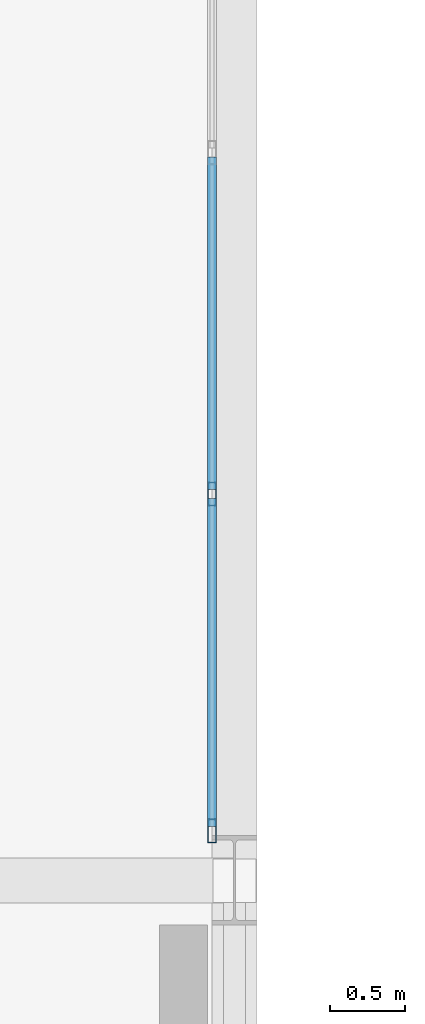
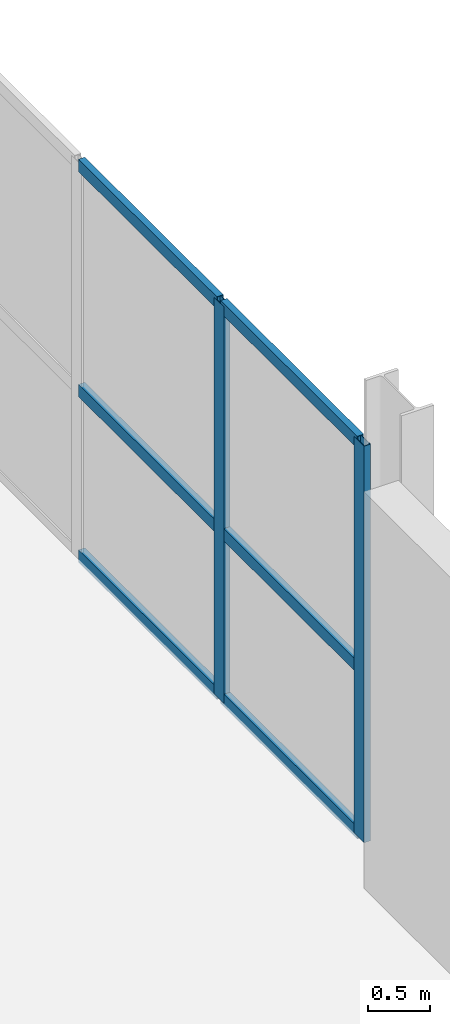
# One storey, part 61 of 130: 8 members, 1 element without a shape of its own.
"""IFC4 building model written with IfcOpenShell, lengths in metres."""

from ifc_helpers import new_model, si_unit, direction, frame, origin, origin_2d, place, context, subcontext, project, spatial, hollow_rectangle, extrude, material, material_profile, profile_set, type_object, element, aggregate, save


model = new_model("IFC4")

# Units and contexts
model_context = context("Model", 3, precision=1e-05, world=origin(), true_north=direction((0.0, 1.0)))
body_context = subcontext(model_context, "Body", "Model", "MODEL_VIEW")
ifc_project = project(units=[si_unit("LENGTHUNIT", "METRE"), si_unit("AREAUNIT", "SQUARE_METRE"), si_unit("VOLUMEUNIT", "CUBIC_METRE"), si_unit("PLANEANGLEUNIT", "RADIAN"), si_unit("MASSUNIT", "GRAM", prefix="KILO")], contexts=[model_context])

# Site, building, storey
site_placement = place(None, origin())
site = spatial("IfcSite", under=ifc_project, at=site_placement, CompositionType="ELEMENT")
building_placement = place(site_placement, origin())
building = spatial("IfcBuilding", under=site, at=building_placement, Name="Veltarok Museum of Natural Sciences", CompositionType="ELEMENT")
storey_placement = place(building_placement, frame((0.0, 0.0, 12.89990234375)))
storey = spatial("IfcBuildingStorey", under=building, at=storey_placement, Name="L02", CompositionType="ELEMENT", Elevation=12.89990234375)

# Curtain wall, members
ifc_material_1 = material(Name="Low-iron triple insulated glass", Category="glass")
curtain_wall_type = type_object("IfcCurtainWallType", Name="Curtain Wall System CW-V2E-L02-0-1140x388 (CW-V2E L02 1140x388cm)", PredefinedType="NOTDEFINED", material=ifc_material_1)
curtain_wall_placement = place(storey_placement, origin())
curtain_wall = element("IfcCurtainWall", 1, at=curtain_wall_placement, inside=storey, type_object=curtain_wall_type, Name="Curtain Wall CW-V2E-L02-0-1140x388 CW-0132", PredefinedType="NOTDEFINED")
ifc_material_2 = material(Name="Thermally broken anodised aluminium", Category="aluminium")
ifc_material_profile_1 = material_profile(ifc_material_2, hollow_rectangle(XDim=0.06005859375, YDim=0.1201171875, WallThickness=0.0048828125, at=origin_2d()), Name="CW TRANSOM 60x120x5")
ifc_profile_set_1 = profile_set([ifc_material_profile_1], Name="Thermally broken anodised aluminium")
member_type_1 = type_object("IfcMemberType", Name="Curtain Wall Horizontal Transom 60x120x5", PredefinedType="USERDEFINED", material=ifc_profile_set_1)
member_1_placement = place(storey_placement, frame((98.64990234375, 48.360107421875, 0.028076171875), z_axis=(0.0, 1.0, 0.0), x_axis=(-1.0, 0.0, 0.0)))
member_1 = element("IfcMember", 2, at=member_1_placement, type_object=member_type_1, Name="CW-V2E-L02-0-1140x388 transom 1.1", ObjectType="TRANSOM", PredefinedType="USERDEFINED", context=body_context, shape_type="SweptSolid", body=[
    extrude(hollow_rectangle(XDim=0.06005859375, YDim=0.1201171875, WallThickness=0.0048828125, at=origin_2d()), origin(), (0.0, 0.0, 1.0), 2.18994140625),
])
member_2_placement = place(storey_placement, frame((98.64990234375, 48.360107421875, 1.648193359375), z_axis=(0.0, 1.0, 0.0), x_axis=(-1.0, 0.0, 0.0)))
member_2 = element("IfcMember", 3, at=member_2_placement, type_object=member_type_1, Name="CW-V2E-L02-0-1140x388 transom 1.2", ObjectType="TRANSOM", PredefinedType="USERDEFINED", context=body_context, shape_type="SweptSolid", body=[
    extrude(hollow_rectangle(XDim=0.06005859375, YDim=0.1201171875, WallThickness=0.0048828125, at=origin_2d()), origin(), (0.0, 0.0, 1.0), 2.18994140625),
])
member_3_placement = place(storey_placement, frame((98.64990234375, 48.360107421875, 3.85009765625), z_axis=(0.0, 1.0, 0.0), x_axis=(-1.0, 0.0, 0.0)))
member_3 = element("IfcMember", 4, at=member_3_placement, type_object=member_type_1, Name="CW-V2E-L02-0-1140x388 transom 1.3", ObjectType="TRANSOM", PredefinedType="USERDEFINED", context=body_context, shape_type="SweptSolid", body=[
    extrude(hollow_rectangle(XDim=0.06005859375, YDim=0.1201171875, WallThickness=0.0048828125, at=origin_2d()), origin(), (0.0, 0.0, 1.0), 2.18994140625),
])
member_4_placement = place(storey_placement, frame((98.64990234375, 50.610107421875, 0.028076171875), z_axis=(0.0, 1.0, 0.0), x_axis=(-1.0, 0.0, 0.0)))
member_4 = element("IfcMember", 5, at=member_4_placement, type_object=member_type_1, Name="CW-V2E-L02-0-1140x388 transom 2.1", ObjectType="TRANSOM", PredefinedType="USERDEFINED", context=body_context, shape_type="SweptSolid", body=[
    extrude(hollow_rectangle(XDim=0.06005859375, YDim=0.1201171875, WallThickness=0.0048828125, at=origin_2d()), origin(), (0.0, 0.0, 1.0), 2.219970703125),
])
member_5_placement = place(storey_placement, frame((98.64990234375, 50.610107421875, 1.648193359375), z_axis=(0.0, 1.0, 0.0), x_axis=(-1.0, 0.0, 0.0)))
member_5 = element("IfcMember", 6, at=member_5_placement, type_object=member_type_1, Name="CW-V2E-L02-0-1140x388 transom 2.2", ObjectType="TRANSOM", PredefinedType="USERDEFINED", context=body_context, shape_type="SweptSolid", body=[
    extrude(hollow_rectangle(XDim=0.06005859375, YDim=0.1201171875, WallThickness=0.0048828125, at=origin_2d()), origin(), (0.0, 0.0, 1.0), 2.219970703125),
])
member_6_placement = place(storey_placement, frame((98.64990234375, 50.610107421875, 3.85009765625), z_axis=(0.0, 1.0, 0.0), x_axis=(-1.0, 0.0, 0.0)))
member_6 = element("IfcMember", 7, at=member_6_placement, type_object=member_type_1, Name="CW-V2E-L02-0-1140x388 transom 2.3", ObjectType="TRANSOM", PredefinedType="USERDEFINED", context=body_context, shape_type="SweptSolid", body=[
    extrude(hollow_rectangle(XDim=0.06005859375, YDim=0.1201171875, WallThickness=0.0048828125, at=origin_2d()), origin(), (0.0, 0.0, 1.0), 2.219970703125),
])
ifc_material_profile_2 = material_profile(ifc_material_2, hollow_rectangle(XDim=0.06005859375, YDim=0.159912109375, WallThickness=0.0048828125, at=origin_2d()), Name="CW MULLION 60x160x5")
ifc_profile_set_2 = profile_set([ifc_material_profile_2], Name="Thermally broken anodised aluminium")
member_type_2 = type_object("IfcMemberType", Name="Curtain Wall Vertical Mullion 60x160x5", PredefinedType="MULLION", material=ifc_profile_set_2)
member_7_placement = place(storey_placement, frame((98.64990234375, 48.330078125, -0.001953125), z_axis=(0.0, 0.0, 1.0), x_axis=(-1.0, 0.0, 0.0)))
member_7 = element("IfcMember", 8, at=member_7_placement, type_object=member_type_2, Name="CW-V2E-L02-0-1140x388 mullion 1", PredefinedType="MULLION", context=body_context, shape_type="SweptSolid", body=[
    extrude(hollow_rectangle(XDim=0.06005859375, YDim=0.159912109375, WallThickness=0.0048828125, at=origin_2d()), origin(), (0.0, 0.0, 1.0), 3.882080078125),
])
member_8_placement = place(storey_placement, frame((98.64990234375, 50.580078125, -0.001953125), z_axis=(0.0, 0.0, 1.0), x_axis=(-1.0, 0.0, 0.0)))
member_8 = element("IfcMember", 9, at=member_8_placement, type_object=member_type_2, Name="CW-V2E-L02-0-1140x388 mullion 2", PredefinedType="MULLION", context=body_context, shape_type="SweptSolid", body=[
    extrude(hollow_rectangle(XDim=0.06005859375, YDim=0.159912109375, WallThickness=0.0048828125, at=origin_2d()), origin(), (0.0, 0.0, 1.0), 3.882080078125),
])
aggregate(curtain_wall, [member_7, member_8, member_1, member_2, member_3, member_4, member_5, member_6])

save(model, "model.ifc")
